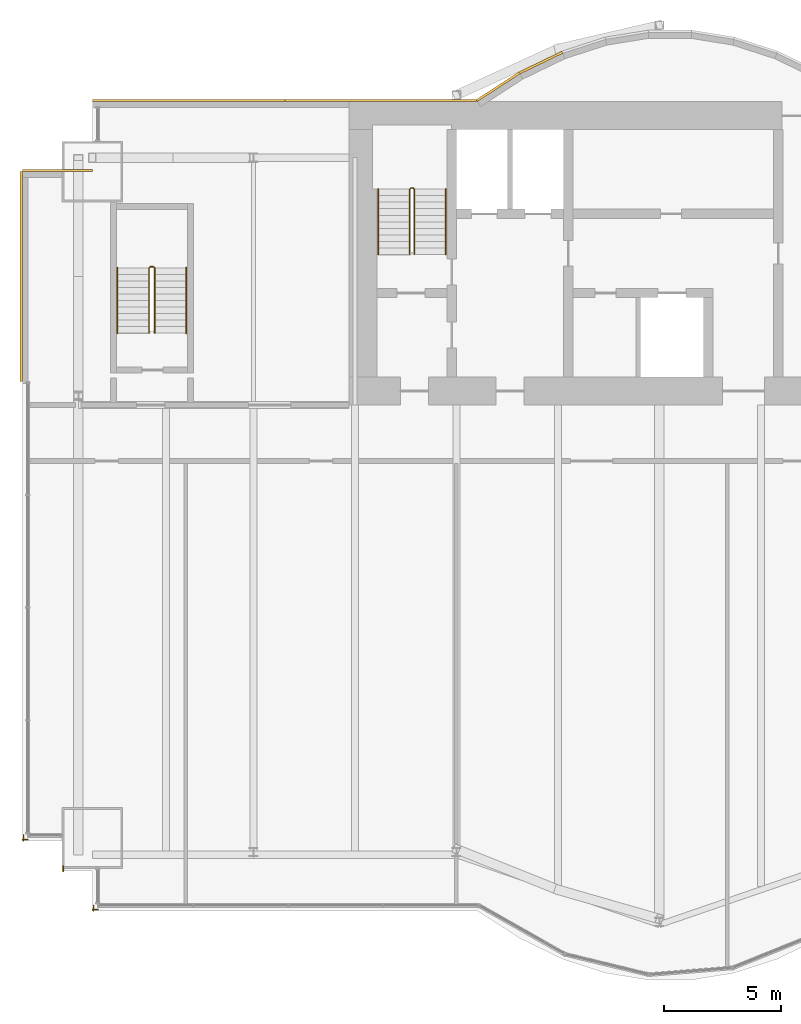
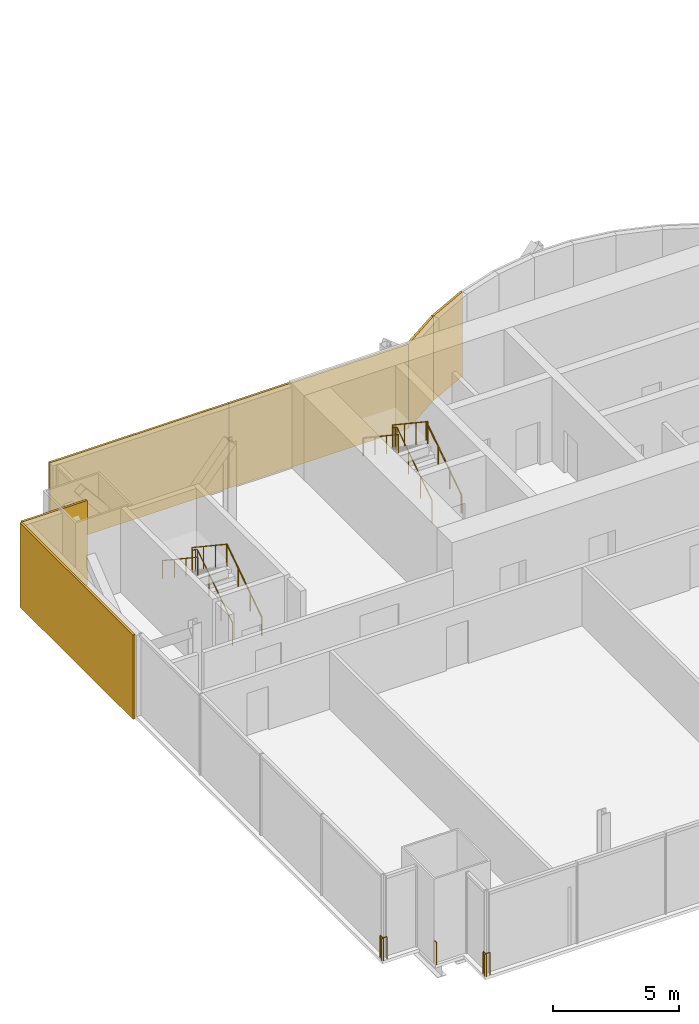
# One storey, part 19 of 21: 9 railings, 6 coverings.
"""IFC4 building model written with IfcOpenShell, lengths in metres."""

import ifcopenshell
import ifcopenshell.guid

model = None  # the IFC model being written
_history = None  # IfcOwnerHistory: only IFC2X3 demands one
_inside = {}  # id of a spatial element -> (the spatial element, [elements in it])
_under = {}  # id of a project, library or spatial element -> (it, [spatial elements below it])
_declared = {}  # id of a project -> (the project, [libraries it declares])
_typed = {}  # id of a type object -> (the type object, [elements of that type])
_made_of = {}  # id of a material, layer set ... -> (it, [elements and type objects made of it])


def new_model(schema):
    """Start an empty IFC model of exactly this schema.

    Asked for "IFC4X3", IfcOpenShell would pick the latest addendum, in which some entities
    have other attributes; the version numbers below select the first issue.
    IFC2X3 requires an IfcOwnerHistory on every rooted entity: one is made here for all.
    """
    global model, _history
    if schema == "IFC4X3":
        model = ifcopenshell.file(schema_version=(4, 3, 0, 0))
    else:
        model = ifcopenshell.file(schema=schema)
    _inside.clear()
    _under.clear()
    _declared.clear()
    _typed.clear()
    _made_of.clear()
    _history = None
    if model.schema == "IFC2X3":
        org = make("IfcOrganization", Name="unknown")
        user = make(
            "IfcPersonAndOrganization",
            ThePerson=make("IfcPerson", FamilyName="unknown"),
            TheOrganization=org,
        )
        app = make(
            "IfcApplication",
            ApplicationDeveloper=org,
            Version="unknown",
            ApplicationFullName="unknown",
            ApplicationIdentifier="unknown",
        )
        _history = make(
            "IfcOwnerHistory",
            OwningUser=user,
            OwningApplication=app,
            ChangeAction="ADDED",
            CreationDate=0,
        )
    return model


def make(cls, **values):
    """One entity of the class cls with the attributes given. An attribute that is None is left unset."""
    return model.create_entity(
        cls, **{name: value for name, value in values.items() if value is not None}
    )


def rooted(cls, **values):
    """An entity with a GlobalId (a new one), such as an element, a storey or a relation."""
    return make(cls, GlobalId=ifcopenshell.guid.new(), OwnerHistory=_history, **values)


def si_unit(unit_type, name, prefix=None):
    """IfcSIUnit, for example si_unit("LENGTHUNIT", "METRE", prefix="MILLI")."""
    return make("IfcSIUnit", UnitType=unit_type, Prefix=prefix, Name=name)


def assignment(units):
    """IfcUnitAssignment: the units of a project."""
    return None if units is None else make("IfcUnitAssignment", Units=units)


def point(xyz):
    """IfcCartesianPoint."""
    return None if xyz is None else make("IfcCartesianPoint", Coordinates=xyz)


def direction(xyz):
    """IfcDirection."""
    return None if xyz is None else make("IfcDirection", DirectionRatios=xyz)


def frame(location, z_axis=None, x_axis=None):
    """IfcAxis2Placement3D, a coordinate frame: its origin and axes. An axis left out is left unset."""
    return make(
        "IfcAxis2Placement3D",
        Location=point(location),
        Axis=direction(z_axis),
        RefDirection=direction(x_axis),
    )


def frame_2d(location, x_axis=None):
    """IfcAxis2Placement2D, a coordinate frame in the plane: its origin and x axis."""
    return make(
        "IfcAxis2Placement2D", Location=point(location), RefDirection=direction(x_axis)
    )


def origin():
    """The frame at (0, 0, 0) with its axes left unset."""
    return frame((0.0, 0.0, 0.0))


def origin_2d():
    """The frame at (0, 0) in the plane with its x axis left unset."""
    return frame_2d((0.0, 0.0))


def place(relative_to, where):
    """IfcLocalPlacement: puts the frame where relative to a parent placement (None: the world)."""
    return make(
        "IfcLocalPlacement", PlacementRelTo=relative_to, RelativePlacement=where
    )


def context(
    kind, dimensions, precision=None, world=None, true_north=None, identifier=None
):
    """IfcGeometricRepresentationContext, for example the 3D "Model" context."""
    return make(
        "IfcGeometricRepresentationContext",
        ContextIdentifier=identifier,
        ContextType=kind,
        CoordinateSpaceDimension=dimensions,
        Precision=precision,
        WorldCoordinateSystem=world,
        TrueNorth=true_north,
    )


def subcontext(parent, identifier, kind, view, scale=None):
    """IfcGeometricRepresentationSubContext, for example "Body" below "Model"."""
    return make(
        "IfcGeometricRepresentationSubContext",
        ContextIdentifier=identifier,
        ContextType=kind,
        ParentContext=parent,
        TargetScale=scale,
        TargetView=view,
    )


def project(units=None, contexts=None):
    """IfcProject with its units and contexts."""
    return rooted(
        "IfcProject",
        Name="project",
        RepresentationContexts=contexts,
        UnitsInContext=assignment(units),
    )


def spatial(cls, under=None, at=None, **own):
    """A site, building, storey or space (cls), placed at a placement, below another one or the project."""
    s = rooted(cls, ObjectPlacement=at, **own)
    if under is not None:
        _under.setdefault(under.id(), (under, []))[1].append(s)
    return s


def profile(cls, at=None, kind="AREA", **sizes):
    """A parametric profile (cls). Its sizes go by their IFC names, for example OverallWidth=200.0."""
    return make(cls, ProfileType=kind, Position=at, **sizes)


def rectangle(**sizes):
    """IfcRectangleProfileDef."""
    return profile("IfcRectangleProfileDef", **sizes)


def circle(**sizes):
    """IfcCircleProfileDef."""
    return profile("IfcCircleProfileDef", **sizes)


def extrude(swept, where, along, depth):
    """IfcExtrudedAreaSolid: the profile swept, set in the frame where, extruded along a direction by depth."""
    return make(
        "IfcExtrudedAreaSolid",
        SweptArea=swept,
        Position=where,
        ExtrudedDirection=direction(along),
        Depth=depth,
    )


def shape(context_of_items, identifier, shape_type, items):
    """IfcShapeRepresentation: the items that make up one representation, for example the "Body"."""
    return make(
        "IfcShapeRepresentation",
        ContextOfItems=context_of_items,
        RepresentationIdentifier=identifier,
        RepresentationType=shape_type,
        Items=items,
    )


def material(Name=None, Category=None):
    """IfcMaterial."""
    return make("IfcMaterial", Name=Name, Category=Category)


def layer(
    of_material, thickness, ventilated=None, Name=None, Category=None, Priority=None
):
    """IfcMaterialLayer: one layer of a wall or slab, of a material (None: an air gap)."""
    return make(
        "IfcMaterialLayer",
        Material=of_material,
        LayerThickness=thickness,
        IsVentilated=ventilated,
        Name=Name,
        Category=Category,
        Priority=Priority,
    )


def layer_set(layers, Name=None):
    """IfcMaterialLayerSet."""
    return make("IfcMaterialLayerSet", MaterialLayers=layers, LayerSetName=Name)


def made_of(thing, what):
    """Note that an element or type object is made of a material, layer set ...; save() writes the relation."""
    if what is not None:
        _made_of.setdefault(what.id(), (what, []))[1].append(thing)
    return thing


def type_object(cls, material=None, **own):
    """A type object (cls), such as IfcWallType, which elements share."""
    return made_of(rooted(cls, **own), material)


def element(
    cls,
    number,
    at=None,
    inside=None,
    cuts=None,
    type_object=None,
    material=None,
    context=None,
    identifier="Body",
    shape_type=None,
    held_by="IfcProductDefinitionShape",
    body=None,
    shapes=None,
    **own,
):
    """One element of the class cls, such as IfcWall. Its Tag is "e" and its number.

    at: its placement. inside: the storey or other place that contains it. cuts: it is an
    opening in that element (IfcRelVoidsElement). A single representation is given by context,
    identifier, shape_type and body (its items); several are given by shapes. held_by: the class
    of the entity that holds the representations. save() writes the other relations.
    """
    e = rooted(cls, Tag="e%d" % number, ObjectPlacement=at, **own)
    if body is not None:
        shapes = [shape(context, identifier, shape_type, body)]
    if shapes is not None:
        e.Representation = make(held_by, Representations=shapes)
    if inside is not None:
        _inside.setdefault(inside.id(), (inside, []))[1].append(e)
    if cuts is not None:
        rooted(
            "IfcRelVoidsElement", RelatingBuildingElement=cuts, RelatedOpeningElement=e
        )
    if type_object is not None:
        _typed.setdefault(type_object.id(), (type_object, []))[1].append(e)
    return made_of(e, material)


def aggregate(whole, parts):
    """IfcRelAggregates: a whole, such as a stair, and the parts it consists of."""
    return rooted("IfcRelAggregates", RelatingObject=whole, RelatedObjects=parts)


def save(model, path):
    """Write the relations noted so far, then the file.

    IfcRelAggregates (storeys below a building ...), IfcRelContainedInSpatialStructure (elements
    in a storey), IfcRelDefinesByType, IfcRelAssociatesMaterial and IfcRelDeclares: one each for
    every whole, place, type object, material and project.
    """
    for whole, parts in _under.values():
        aggregate(whole, parts)
    for where, things in _inside.values():
        rooted(
            "IfcRelContainedInSpatialStructure",
            RelatedElements=things,
            RelatingStructure=where,
        )
    for kind, things in _typed.values():
        rooted("IfcRelDefinesByType", RelatedObjects=things, RelatingType=kind)
    for what, things in _made_of.values():
        rooted("IfcRelAssociatesMaterial", RelatedObjects=things, RelatingMaterial=what)
    for by, libraries in _declared.values():
        rooted("IfcRelDeclares", RelatingContext=by, RelatedDefinitions=libraries)
    model.write(path)


model = new_model("IFC4")

# Units and contexts
model_context = context("Model", 3, precision=1e-05, world=origin(), true_north=direction((0.0, 1.0)))
body_context = subcontext(model_context, "Body", "Model", "MODEL_VIEW")
ifc_project = project(units=[si_unit("LENGTHUNIT", "METRE"), si_unit("AREAUNIT", "SQUARE_METRE"), si_unit("VOLUMEUNIT", "CUBIC_METRE"), si_unit("PLANEANGLEUNIT", "RADIAN"), si_unit("MASSUNIT", "GRAM", prefix="KILO")], contexts=[model_context])

# Site, building, storey
site_placement = place(None, origin())
site = spatial("IfcSite", under=ifc_project, at=site_placement, CompositionType="ELEMENT")
building_placement = place(site_placement, origin())
building = spatial("IfcBuilding", under=site, at=building_placement, Name="Bicima Exchange Tower", CompositionType="ELEMENT")
storey_placement = place(building_placement, frame((0.0, 0.0, 165.0)))
storey = spatial("IfcBuildingStorey", under=building, at=storey_placement, Name="L36", CompositionType="ELEMENT", Elevation=165.0)

# Coverings
ifc_material_1 = material(Name="Bronze metal cladding")
ifc_layer_1 = layer(ifc_material_1, 0.004)
ifc_material_2 = material(Name="Ventilated cavity")
ifc_layer_2 = layer(ifc_material_2, 0.06)
ifc_material_3 = material(Name="Galvanised steel rail and mineral wool", Category="steel")
ifc_layer_3 = layer(ifc_material_3, 0.036)
ifc_layer_set = layer_set([ifc_layer_1, ifc_layer_2, ifc_layer_3], Name="Ventilated cavity")
covering_type = type_object("IfcCoveringType", Name="Bronze metal cladding panel 100", PredefinedType="CLADDING", material=ifc_layer_set)
covering_1_placement = place(storey_placement, frame((-13.771728515625, 1.674560546875, -0.150146484375), z_axis=(0.0, 0.0, 1.0), x_axis=(-0.899818346812, -0.436264762204, 0.0)))
element("IfcCovering", 1, at=covering_1_placement, inside=storey, type_object=covering_type, Name="Bronze cladding L36 18.1", PredefinedType="CLADDING", context=body_context, shape_type="SweptSolid", body=[
    extrude(rectangle(XDim=2.03759765625, YDim=0.10009765625, at=origin_2d()), origin(), (0.0, 0.0, 1.0), 4.10009765625),
])
covering_2_placement = place(storey_placement, frame((-15.610595703125, 0.634521484375, -0.150146484375), z_axis=(0.0, 0.0, 1.0), x_axis=(-0.839790466384, -0.542910648791, 0.0)))
element("IfcCovering", 2, at=covering_2_placement, inside=storey, type_object=covering_type, Name="Bronze cladding L36 19.1", PredefinedType="CLADDING", context=body_context, shape_type="SweptSolid", body=[
    extrude(rectangle(XDim=2.18310546875, YDim=0.10009765625, at=origin_2d()), origin(), (0.0, 0.0, 1.0), 4.10009765625),
])
for number, where, z_axis, x_axis, name in (
    (3, (-20.625, 0.050048828125, -0.150146484375), (0.0, 0.0, 1.0), (-1.0, 0.0, 0.0), "Bronze cladding L36 20.1"),
    (4, (-28.875, 0.050048828125, -0.150146484375), (0.0, 0.0, 1.0), (-1.0, 0.0, 0.0), "Bronze cladding L36 20.2"),
):
    element("IfcCovering", number, at=place(storey_placement, frame(where, z_axis=z_axis, x_axis=x_axis)), inside=storey, type_object=covering_type, Name=name, PredefinedType="CLADDING", context=body_context, shape_type="SweptSolid", body=[
        extrude(rectangle(XDim=8.25, YDim=0.10009765625, at=origin_2d()), origin(), (0.0, 0.0, 1.0), 4.10009765625),
    ])
covering_3_placement = place(storey_placement, frame((-34.5, -2.949951171875, -0.150146484375), z_axis=(0.0, 0.0, 1.0), x_axis=(-1.0, 0.0, 0.0)))
element("IfcCovering", 5, at=covering_3_placement, inside=storey, type_object=covering_type, Name="Bronze cladding L36 22.1", PredefinedType="CLADDING", context=body_context, shape_type="SweptSolid", body=[
    extrude(rectangle(XDim=3.0, YDim=0.10009765625, at=origin_2d()), origin(), (0.0, 0.0, 1.0), 4.10009765625),
])
covering_4_placement = place(storey_placement, frame((-36.050048828125, -7.5, -0.150146484375), z_axis=(0.0, 0.0, 1.0), x_axis=(0.0, -1.0, 0.0)))
element("IfcCovering", 6, at=covering_4_placement, inside=storey, type_object=covering_type, Name="Bronze cladding L36 23.1", PredefinedType="CLADDING", context=body_context, shape_type="SweptSolid", body=[
    extrude(rectangle(XDim=9.0, YDim=0.10009765625, at=origin_2d()), origin(), (0.0, 0.0, 1.0), 4.10009765625),
])

# Railings
ifc_material_4 = material(Name="Stainless steel and bonded safety glass", Category="steel")
railing_type_1 = type_object("IfcRailingType", Name="Edge guard 1100", PredefinedType="GUARDRAIL", material=ifc_material_4)
railing_1_placement = place(storey_placement, frame((-35.757080078125, -31.6298828125, 0.0)))
element("IfcRailing", 7, at=railing_1_placement, inside=storey, type_object=railing_type_1, Name="Edge guard L36 179", PredefinedType="GUARDRAIL", context=body_context, shape_type="SweptSolid", body=[
    extrude(circle(Radius=0.02392578125, at=origin_2d()), frame((0.0, 0.0, 1.076171875), z_axis=(-1.0, 0.0, 0.0), x_axis=(0.0, -1.0, 0.0)), (0.0, 0.0, 1.0), 0.242919921875),
    extrude(circle(Radius=0.02392578125, at=origin_2d()), frame((-0.242919921875, 0.0, 1.076171875), z_axis=(0.707106781187, -0.707106781187, 0.0), x_axis=(0.707106781187, 0.707106781187, 0.0)), (0.0, 0.0, 1.0), 0.07080078125),
    extrude(circle(Radius=0.02392578125, at=origin_2d()), frame((-0.19287109375, -0.050048828125, 1.076171875), z_axis=(0.0, 1.0, 0.0), x_axis=(-1.0, 0.0, 0.0)), (0.0, 0.0, 1.0), 0.2490234375),
    extrude(circle(Radius=0.02099609375, at=origin_2d()), origin(), (0.0, 0.0, 1.0), 1.052001953125),
    extrude(circle(Radius=0.02099609375, at=origin_2d()), frame((-0.242919921875, 0.0, 0.0)), (0.0, 0.0, 1.0), 1.052001953125),
    extrude(circle(Radius=0.02099609375, at=origin_2d()), frame((-0.19287109375, -0.050048828125, 0.0)), (0.0, 0.0, 1.0), 1.052001953125),
    extrude(circle(Radius=0.02099609375, at=origin_2d()), frame((-0.19287109375, 0.198974609375, 0.0)), (0.0, 0.0, 1.0), 1.052001953125),
])
railing_2_placement = place(storey_placement, frame((-32.75, -34.6298828125, 0.0)))
element("IfcRailing", 8, at=railing_2_placement, inside=storey, type_object=railing_type_1, Name="Edge guard L36 183", PredefinedType="GUARDRAIL", context=body_context, shape_type="SweptSolid", body=[
    extrude(circle(Radius=0.02392578125, at=origin_2d()), frame((0.0, 0.0, 1.076171875), z_axis=(-1.0, 0.0, 0.0), x_axis=(0.0, -1.0, 0.0)), (0.0, 0.0, 1.0), 0.25),
    extrude(circle(Radius=0.02392578125, at=origin_2d()), frame((-0.25, 0.0, 1.076171875), z_axis=(0.707106781187, -0.707106781187, 0.0), x_axis=(0.707106781187, 0.707106781187, 0.0)), (0.0, 0.0, 1.0), 0.07080078125),
    extrude(circle(Radius=0.02392578125, at=origin_2d()), frame((-0.199951171875, -0.050048828125, 1.076171875), z_axis=(0.0, 1.0, 0.0), x_axis=(-1.0, 0.0, 0.0)), (0.0, 0.0, 1.0), 0.242919921875),
    extrude(circle(Radius=0.02099609375, at=origin_2d()), origin(), (0.0, 0.0, 1.0), 1.052001953125),
    extrude(circle(Radius=0.02099609375, at=origin_2d()), frame((-0.25, 0.0, 0.0)), (0.0, 0.0, 1.0), 1.052001953125),
    extrude(circle(Radius=0.02099609375, at=origin_2d()), frame((-0.199951171875, -0.050048828125, 0.0)), (0.0, 0.0, 1.0), 1.052001953125),
    extrude(circle(Radius=0.02099609375, at=origin_2d()), frame((-0.199951171875, 0.19287109375, 0.0)), (0.0, 0.0, 1.0), 1.052001953125),
])
railing_3_placement = place(storey_placement, frame((-34.25, -32.97998046875, 0.0)))
element("IfcRailing", 9, at=railing_3_placement, inside=storey, type_object=railing_type_1, Name="Edge guard L36 184", PredefinedType="GUARDRAIL", context=body_context, shape_type="SweptSolid", body=[
    extrude(circle(Radius=0.02392578125, at=origin_2d()), frame((0.0, 0.0, 1.076171875), z_axis=(0.0, 1.0, 0.0), x_axis=(-1.0, 0.0, 0.0)), (0.0, 0.0, 1.0), 0.217041015625),
    extrude(circle(Radius=0.02099609375, at=origin_2d()), origin(), (0.0, 0.0, 1.0), 1.052001953125),
    extrude(circle(Radius=0.02099609375, at=origin_2d()), frame((0.0, 0.217041015625, 0.0)), (0.0, 0.0, 1.0), 1.052001953125),
])
ifc_material_5 = material(Name="Stainless steel", Category="steel")
railing_type_2 = type_object("IfcRailingType", Name="Stair guard 1100", PredefinedType="GUARDRAIL", material=ifc_material_5)
railing_4_placement = place(storey_placement, frame((-19.199951171875, -6.550048828125, 0.186279296875)))
element("IfcRailing", 10, at=railing_4_placement, inside=storey, type_object=railing_type_2, Name="L36 ST-W stair guard 1", PredefinedType="GUARDRAIL", context=body_context, shape_type="SweptSolid", body=[
    extrude(circle(Radius=0.02392578125, at=origin_2d()), frame((0.0, 0.0, 1.076171875), z_axis=(0.0, 0.832452072856, 0.554097055034), x_axis=(-1.0, 0.0, 0.0)), (0.0, 0.0, 1.0), 3.363525390625),
    extrude(circle(Radius=0.02392578125, at=origin_2d()), frame((0.0, 2.800048828125, 2.93994140625), z_axis=(-0.707106781187, 0.707106781187, 0.0), x_axis=(-0.707106781187, -0.707106781187, 0.0)), (0.0, 0.0, 1.0), 0.07080078125),
    extrude(circle(Radius=0.02392578125, at=origin_2d()), frame((-0.050048828125, 2.85009765625, 2.93994140625), z_axis=(-1.0, 0.0, 0.0), x_axis=(0.0, -1.0, 0.0)), (0.0, 0.0, 1.0), 0.10009765625),
    extrude(circle(Radius=0.02392578125, at=origin_2d()), frame((-0.150146484375, 2.85009765625, 2.93994140625), z_axis=(-0.250008635948, -0.251234168477, 0.935081319748), x_axis=(0.708833529934, -0.705375805398, 0.0)), (0.0, 0.0, 1.0), 0.19921875),
    extrude(circle(Radius=0.02392578125, at=origin_2d()), frame((-0.199951171875, 2.800048828125, 3.1259765625), z_axis=(0.0, -0.832452072856, 0.554097055034), x_axis=(1.0, 0.0, 0.0)), (0.0, 0.0, 1.0), 3.363525390625),
    extrude(circle(Radius=0.02099609375, at=origin_2d()), origin(), (0.0, 0.0, 1.0), 1.052001953125),
    extrude(circle(Radius=0.02099609375, at=origin_2d()), frame((0.0, 0.933349609375, 0.621337890625)), (0.0, 0.0, 1.0), 1.052001953125),
    extrude(circle(Radius=0.02099609375, at=origin_2d()), frame((0.0, 1.86669921875, 1.242431640625)), (0.0, 0.0, 1.0), 1.052001953125),
    extrude(circle(Radius=0.02099609375, at=origin_2d()), frame((0.0, 2.800048828125, 1.86376953125)), (0.0, 0.0, 1.0), 1.052001953125),
    extrude(circle(Radius=0.02099609375, at=origin_2d()), frame((-0.050048828125, 2.85009765625, 1.86376953125)), (0.0, 0.0, 1.0), 1.052001953125),
    extrude(circle(Radius=0.02099609375, at=origin_2d()), frame((-0.150146484375, 2.85009765625, 1.86376953125)), (0.0, 0.0, 1.0), 1.052001953125),
    extrude(circle(Radius=0.02099609375, at=origin_2d()), frame((-0.199951171875, 2.800048828125, 2.050048828125)), (0.0, 0.0, 1.0), 1.052001953125),
    extrude(circle(Radius=0.02099609375, at=origin_2d()), frame((-0.199951171875, 1.86669921875, 2.67138671875)), (0.0, 0.0, 1.0), 1.052001953125),
    extrude(circle(Radius=0.02099609375, at=origin_2d()), frame((-0.199951171875, 0.933349609375, 3.29248046875)), (0.0, 0.0, 1.0), 1.052001953125),
    extrude(circle(Radius=0.02099609375, at=origin_2d()), frame((-0.199951171875, 0.0, 3.913818359375)), (0.0, 0.0, 1.0), 1.052001953125),
])
railing_5_placement = place(storey_placement, frame((-30.324951171875, -9.925048828125, 0.186279296875)))
element("IfcRailing", 11, at=railing_5_placement, inside=storey, type_object=railing_type_2, Name="L36 ST-WW stair guard 1", PredefinedType="GUARDRAIL", context=body_context, shape_type="SweptSolid", body=[
    extrude(circle(Radius=0.02392578125, at=origin_2d()), frame((0.0, 0.0, 1.076171875), z_axis=(0.0, 0.832452072856, 0.554097055034), x_axis=(-1.0, 0.0, 0.0)), (0.0, 0.0, 1.0), 3.363525390625),
    extrude(circle(Radius=0.02392578125, at=origin_2d()), frame((0.0, 2.800048828125, 2.93994140625), z_axis=(-0.707106781187, 0.707106781187, 0.0), x_axis=(-0.707106781187, -0.707106781187, 0.0)), (0.0, 0.0, 1.0), 0.07080078125),
    extrude(circle(Radius=0.02392578125, at=origin_2d()), frame((-0.050048828125, 2.85009765625, 2.93994140625), z_axis=(-1.0, 0.0, 0.0), x_axis=(0.0, -1.0, 0.0)), (0.0, 0.0, 1.0), 0.14990234375),
    extrude(circle(Radius=0.02392578125, at=origin_2d()), frame((-0.199951171875, 2.85009765625, 2.93994140625), z_axis=(-0.251157038772, -0.251157038772, 0.934794246747), x_axis=(0.707106781187, -0.707106781187, 0.0)), (0.0, 0.0, 1.0), 0.19921875),
    extrude(circle(Radius=0.02392578125, at=origin_2d()), frame((-0.25, 2.800048828125, 3.1259765625), z_axis=(0.0, -0.832452072856, 0.554097055034), x_axis=(1.0, 0.0, 0.0)), (0.0, 0.0, 1.0), 3.363525390625),
    extrude(circle(Radius=0.02099609375, at=origin_2d()), origin(), (0.0, 0.0, 1.0), 1.052001953125),
    extrude(circle(Radius=0.02099609375, at=origin_2d()), frame((0.0, 0.933349609375, 0.621337890625)), (0.0, 0.0, 1.0), 1.052001953125),
    extrude(circle(Radius=0.02099609375, at=origin_2d()), frame((0.0, 1.86669921875, 1.242431640625)), (0.0, 0.0, 1.0), 1.052001953125),
    extrude(circle(Radius=0.02099609375, at=origin_2d()), frame((0.0, 2.800048828125, 1.86376953125)), (0.0, 0.0, 1.0), 1.052001953125),
    extrude(circle(Radius=0.02099609375, at=origin_2d()), frame((-0.050048828125, 2.85009765625, 1.86376953125)), (0.0, 0.0, 1.0), 1.052001953125),
    extrude(circle(Radius=0.02099609375, at=origin_2d()), frame((-0.199951171875, 2.85009765625, 1.86376953125)), (0.0, 0.0, 1.0), 1.052001953125),
    extrude(circle(Radius=0.02099609375, at=origin_2d()), frame((-0.25, 2.800048828125, 2.050048828125)), (0.0, 0.0, 1.0), 1.052001953125),
    extrude(circle(Radius=0.02099609375, at=origin_2d()), frame((-0.25, 1.86669921875, 2.67138671875)), (0.0, 0.0, 1.0), 1.052001953125),
    extrude(circle(Radius=0.02099609375, at=origin_2d()), frame((-0.25, 0.933349609375, 3.29248046875)), (0.0, 0.0, 1.0), 1.052001953125),
    extrude(circle(Radius=0.02099609375, at=origin_2d()), frame((-0.25, 0.0, 3.913818359375)), (0.0, 0.0, 1.0), 1.052001953125),
])
railing_type_3 = type_object("IfcRailingType", Name="Stair handrail 900", PredefinedType="HANDRAIL", material=ifc_material_5)
railing_6_placement = place(storey_placement, frame((-17.85009765625, -6.550048828125, 0.186279296875)))
element("IfcRailing", 12, at=railing_6_placement, inside=storey, type_object=railing_type_3, Name="L36 ST-W stair handrail 1", PredefinedType="HANDRAIL", context=body_context, shape_type="SweptSolid", body=[
    extrude(circle(Radius=0.02392578125, at=origin_2d()), frame((0.0, 0.0, 0.8759765625), z_axis=(0.0, 0.832452072856, 0.554097055034), x_axis=(-1.0, 0.0, 0.0)), (0.0, 0.0, 1.0), 3.363525390625),
    extrude(circle(Radius=0.02099609375, at=origin_2d()), origin(), (0.0, 0.0, 1.0), 0.851806640625),
    extrude(circle(Radius=0.02099609375, at=origin_2d()), frame((0.0, 0.933349609375, 0.621337890625)), (0.0, 0.0, 1.0), 0.851806640625),
    extrude(circle(Radius=0.02099609375, at=origin_2d()), frame((0.0, 1.86669921875, 1.242431640625)), (0.0, 0.0, 1.0), 0.851806640625),
    extrude(circle(Radius=0.02099609375, at=origin_2d()), frame((0.0, 2.800048828125, 1.86376953125)), (0.0, 0.0, 1.0), 0.851806640625),
])
railing_7_placement = place(storey_placement, frame((-20.75, -3.75, 2.27685546875)))
element("IfcRailing", 13, at=railing_7_placement, inside=storey, type_object=railing_type_3, Name="L36 ST-W stair handrail 2", PredefinedType="HANDRAIL", context=body_context, shape_type="SweptSolid", body=[
    extrude(circle(Radius=0.02392578125, at=origin_2d()), frame((0.0, 0.0, 0.8759765625), z_axis=(0.0, -0.832485552168, 0.554046753832), x_axis=(1.0, 0.0, 0.0)), (0.0, 0.0, 1.0), 3.363525390625),
    extrude(circle(Radius=0.02099609375, at=origin_2d()), origin(), (0.0, 0.0, 1.0), 0.851806640625),
    extrude(circle(Radius=0.02099609375, at=origin_2d()), frame((0.0, -0.933349609375, 0.62109375)), (0.0, 0.0, 1.0), 0.851806640625),
    extrude(circle(Radius=0.02099609375, at=origin_2d()), frame((0.0, -1.86669921875, 1.242431640625)), (0.0, 0.0, 1.0), 0.851806640625),
    extrude(circle(Radius=0.02099609375, at=origin_2d()), frame((0.0, -2.800048828125, 1.863525390625)), (0.0, 0.0, 1.0), 0.851806640625),
])
railing_8_placement = place(storey_placement, frame((-28.97509765625, -9.925048828125, 0.186279296875)))
element("IfcRailing", 14, at=railing_8_placement, inside=storey, type_object=railing_type_3, Name="L36 ST-WW stair handrail 1", PredefinedType="HANDRAIL", context=body_context, shape_type="SweptSolid", body=[
    extrude(circle(Radius=0.02392578125, at=origin_2d()), frame((0.0, 0.0, 0.8759765625), z_axis=(0.0, 0.832452072856, 0.554097055034), x_axis=(-1.0, 0.0, 0.0)), (0.0, 0.0, 1.0), 3.363525390625),
    extrude(circle(Radius=0.02099609375, at=origin_2d()), origin(), (0.0, 0.0, 1.0), 0.851806640625),
    extrude(circle(Radius=0.02099609375, at=origin_2d()), frame((0.0, 0.933349609375, 0.621337890625)), (0.0, 0.0, 1.0), 0.851806640625),
    extrude(circle(Radius=0.02099609375, at=origin_2d()), frame((0.0, 1.86669921875, 1.242431640625)), (0.0, 0.0, 1.0), 0.851806640625),
    extrude(circle(Radius=0.02099609375, at=origin_2d()), frame((0.0, 2.800048828125, 1.86376953125)), (0.0, 0.0, 1.0), 0.851806640625),
])
railing_9_placement = place(storey_placement, frame((-31.925048828125, -7.125, 2.27685546875)))
element("IfcRailing", 15, at=railing_9_placement, inside=storey, type_object=railing_type_3, Name="L36 ST-WW stair handrail 2", PredefinedType="HANDRAIL", context=body_context, shape_type="SweptSolid", body=[
    extrude(circle(Radius=0.02392578125, at=origin_2d()), frame((0.0, 0.0, 0.8759765625), z_axis=(0.0, -0.832485552168, 0.554046753832), x_axis=(1.0, 0.0, 0.0)), (0.0, 0.0, 1.0), 3.363525390625),
    extrude(circle(Radius=0.02099609375, at=origin_2d()), origin(), (0.0, 0.0, 1.0), 0.851806640625),
    extrude(circle(Radius=0.02099609375, at=origin_2d()), frame((0.0, -0.933349609375, 0.62109375)), (0.0, 0.0, 1.0), 0.851806640625),
    extrude(circle(Radius=0.02099609375, at=origin_2d()), frame((0.0, -1.86669921875, 1.242431640625)), (0.0, 0.0, 1.0), 0.851806640625),
    extrude(circle(Radius=0.02099609375, at=origin_2d()), frame((0.0, -2.800048828125, 1.863525390625)), (0.0, 0.0, 1.0), 0.851806640625),
])

save(model, "model.ifc")
